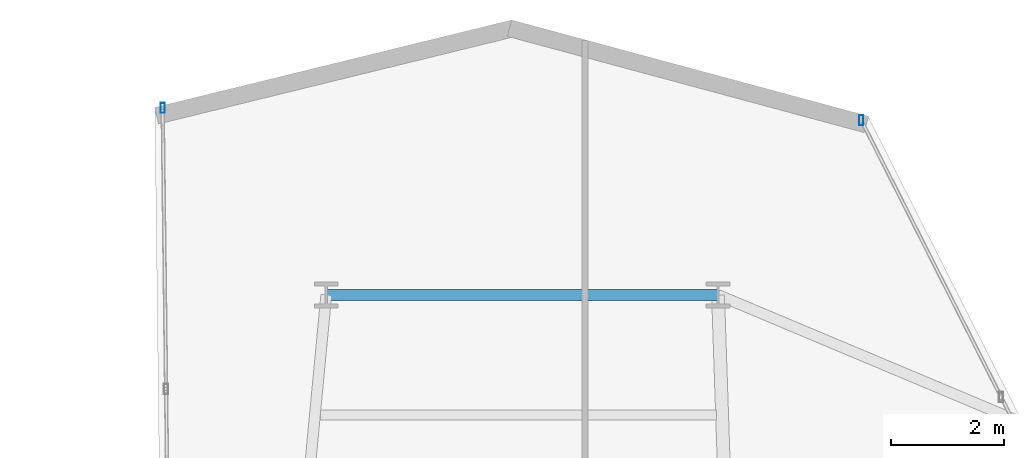
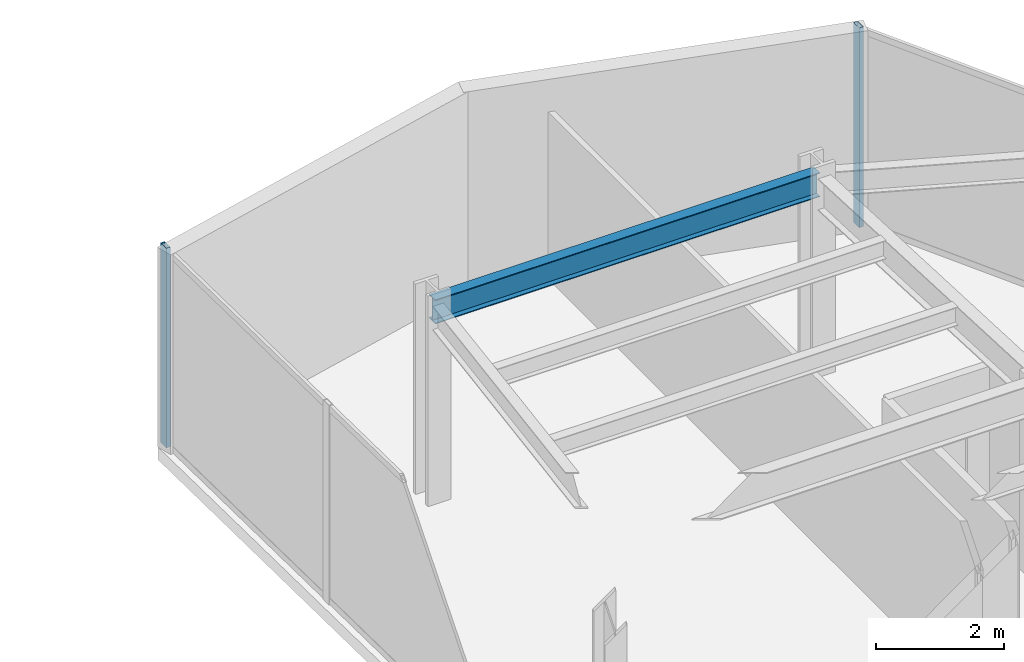
# One storey, part 19 of 26: 2 members, 1 beam, 2 elements without a shape of their own.
"""IFC4 building model written with IfcOpenShell, lengths in metres."""

from ifc_helpers import new_model, si_unit, direction, frame, origin, origin_2d, place, context, subcontext, project, spatial, hollow_rectangle, i_section, extrude, material, layer, layer_set, material_profile, profile_set, type_object, element, aggregate, save


model = new_model("IFC4")

# Units and contexts
model_context = context("Model", 3, precision=1e-05, world=origin(), true_north=direction((0.0, 1.0)))
body_context = subcontext(model_context, "Body", "Model", "MODEL_VIEW")
ifc_project = project(units=[si_unit("LENGTHUNIT", "METRE"), si_unit("AREAUNIT", "SQUARE_METRE"), si_unit("VOLUMEUNIT", "CUBIC_METRE"), si_unit("PLANEANGLEUNIT", "RADIAN"), si_unit("MASSUNIT", "GRAM", prefix="KILO")], contexts=[model_context])

# Site, building, storey
site_placement = place(None, origin())
site = spatial("IfcSite", under=ifc_project, at=site_placement, CompositionType="ELEMENT")
building_placement = place(site_placement, origin())
building = spatial("IfcBuilding", under=site, at=building_placement, Name="Veymaron Broadcast Tower", CompositionType="ELEMENT")
storey_placement = place(building_placement, frame((0.0, 0.0, 133.050048828125)))
storey = spatial("IfcBuildingStorey", under=building, at=storey_placement, Name="L30", CompositionType="ELEMENT", Elevation=133.050048828125)

# Beam
ifc_material_1 = material(Name="Structural steel ASTM A992 Gr 50", Category="steel")
ifc_material_profile_1 = material_profile(ifc_material_1, i_section(OverallWidth=0.19091796875, OverallDepth=0.4599609375, WebThickness=0.010009765625, FlangeThickness=0.01611328125, at=origin_2d()), Name="W460X82")
ifc_profile_set_1 = profile_set([ifc_material_profile_1], Name="Structural steel ASTM A992 Gr 50")
beam_type = type_object("IfcBeamType", Name="BM-SP1", PredefinedType="SPANDREL", material=ifc_profile_set_1)
beam_placement = place(storey_placement, frame((31.830078125, 38.64990234375, 3.579833984375), z_axis=(1.0, 0.0, 0.0), x_axis=(0.0, 1.0, 0.0)))
element("IfcBeam", 1, at=beam_placement, inside=storey, type_object=beam_type, Name="L30 primary structural floor girder", PredefinedType="SPANDREL", context=body_context, shape_type="SweptSolid", body=[
    extrude(i_section(OverallWidth=0.19091796875, OverallDepth=0.4599609375, WebThickness=0.010009765625, FlangeThickness=0.01611328125, at=origin_2d()), origin(), (0.0, 0.0, 1.0), 6.94482421875),
])

# Curtain wall, member
ifc_material_2 = material(Name="Anodised aluminium AA 6063-T6 and laminated low-E dark glass", Category="aluminium")
ifc_layer = layer(ifc_material_2, 0.179931640625)
ifc_layer_set = layer_set([ifc_layer], Name="Anodised aluminium AA 6063-T6 and laminated low-E dark glass")
curtain_wall_type = type_object("IfcCurtainWallType", Name="CW-SYS-03", PredefinedType="NOTDEFINED", material=ifc_layer_set)
curtain_wall_1_placement = place(storey_placement, origin())
curtain_wall_1 = element("IfcCurtainWall", 2, at=curtain_wall_1_placement, inside=storey, type_object=curtain_wall_type, Name="L30 dark-glass curtain wall CW-L30-E5-1", PredefinedType="NOTDEFINED")
ifc_material_3 = material(Name="Anodised aluminium AA 6063-T6", Category="aluminium")
ifc_material_profile_2 = material_profile(ifc_material_3, hollow_rectangle(XDim=0.074951171875, YDim=0.179931640625, WallThickness=0.0048828125, at=origin_2d()), Name="AL180X75X5")
ifc_profile_set_2 = profile_set([ifc_material_profile_2], Name="Anodised aluminium AA 6063-T6")
member_type = type_object("IfcMemberType", Name="CW-MUL-02", PredefinedType="MULLION", material=ifc_profile_set_2)
member_1_placement = place(storey_placement, frame((41.31494140625, 41.746826171875, 0.0), z_axis=(0.0, 0.0, 1.0), x_axis=(1.0, 0.0, 0.0)))
member_1 = element("IfcMember", 3, at=member_1_placement, type_object=member_type, Name="CW-L30-E5-1 mullion 2", PredefinedType="MULLION", context=body_context, shape_type="SweptSolid", body=[
    extrude(hollow_rectangle(XDim=0.074951171875, YDim=0.179931640625, WallThickness=0.0048828125, at=origin_2d()), origin(), (0.0, 0.0, 1.0), 3.81005859375),
])
aggregate(curtain_wall_1, [member_1])

curtain_wall_2_placement = place(storey_placement, origin())
curtain_wall_2 = element("IfcCurtainWall", 4, at=curtain_wall_2_placement, inside=storey, type_object=curtain_wall_type, Name="L30 dark-glass curtain wall CW-L30-E8-1", PredefinedType="NOTDEFINED")
member_2_placement = place(storey_placement, frame((28.929931640625, 41.966796875, 0.0), z_axis=(0.0, 0.0, 1.0), x_axis=(1.0, 0.0, 0.0)))
member_2 = element("IfcMember", 5, at=member_2_placement, type_object=member_type, Name="CW-L30-E8-1 mullion 0", PredefinedType="MULLION", context=body_context, shape_type="SweptSolid", body=[
    extrude(hollow_rectangle(XDim=0.074951171875, YDim=0.179931640625, WallThickness=0.0048828125, at=origin_2d()), origin(), (0.0, 0.0, 1.0), 3.81005859375),
])
aggregate(curtain_wall_2, [member_2])

save(model, "model.ifc")
